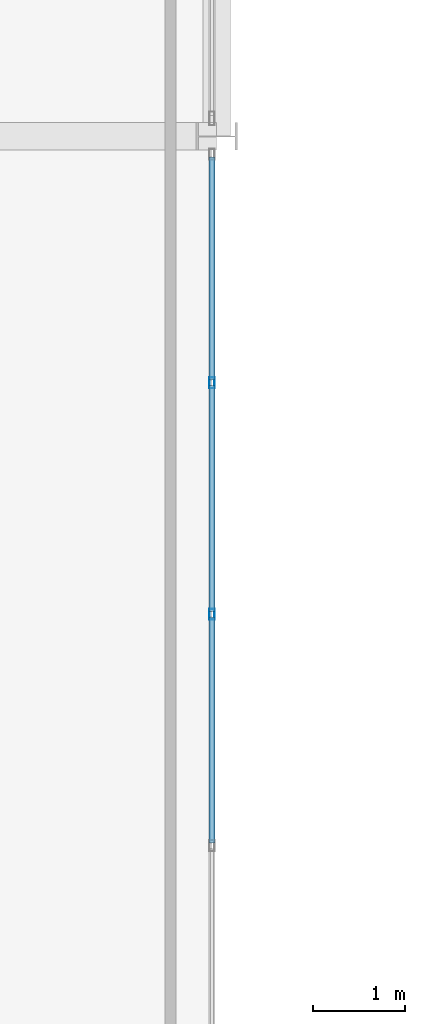
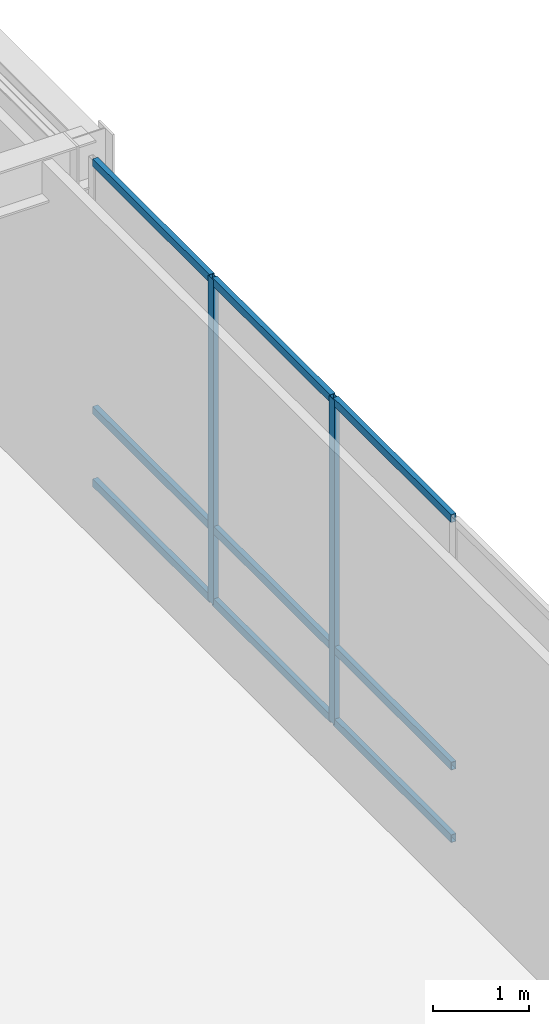
# One storey, part 62 of 115: 11 members, 1 element without a shape of its own.
"""IFC4 building model written with IfcOpenShell, lengths in metres."""

from ifc_helpers import new_model, si_unit, direction, frame, origin, origin_2d, place, context, subcontext, project, spatial, hollow_rectangle, extrude, material, layer, layer_set, material_profile, profile_set, type_object, element, aggregate, save


model = new_model("IFC4")

# Units and contexts
model_context = context("Model", 3, precision=1e-05, world=origin(), true_north=direction((0.0, 1.0)))
body_context = subcontext(model_context, "Body", "Model", "MODEL_VIEW")
ifc_project = project(units=[si_unit("LENGTHUNIT", "METRE"), si_unit("AREAUNIT", "SQUARE_METRE"), si_unit("VOLUMEUNIT", "CUBIC_METRE"), si_unit("PLANEANGLEUNIT", "RADIAN"), si_unit("MASSUNIT", "GRAM", prefix="KILO")], contexts=[model_context])

# Site, building, storey
site_placement = place(None, origin())
site = spatial("IfcSite", under=ifc_project, at=site_placement, CompositionType="ELEMENT")
building_placement = place(site_placement, origin())
building = spatial("IfcBuilding", under=site, at=building_placement, Name="Montelvaro Courts of Justice", CompositionType="ELEMENT")
storey_placement = place(building_placement, frame((0.0, 0.0, 9.89990234375)))
storey = spatial("IfcBuildingStorey", under=building, at=storey_placement, Name="L02", CompositionType="ELEMENT", Elevation=9.89990234375)

# Curtain wall, members
ifc_material = material(Name="Anodised aluminium EN AW-6063", Category="aluminium")
ifc_layer = layer(ifc_material, 0.159912109375)
ifc_layer_set = layer_set([ifc_layer], Name="Anodised aluminium EN AW-6063")
curtain_wall_type = type_object("IfcCurtainWallType", Name="CurtainWall_22_1761x418", PredefinedType="USERDEFINED", material=ifc_layer_set)
curtain_wall_placement = place(storey_placement, origin())
curtain_wall = element("IfcCurtainWall", 1, at=curtain_wall_placement, inside=storey, type_object=curtain_wall_type, Name="Curtain Wall CW-22 (L02)", ObjectType="CURTAIN WALL", PredefinedType="USERDEFINED")
ifc_material_profile_1 = material_profile(ifc_material, hollow_rectangle(XDim=0.06005859375, YDim=0.1201171875, WallThickness=0.00341796875, at=origin_2d()), Name="ALU-M 60x120")
ifc_profile_set_1 = profile_set([ifc_material_profile_1], Name="Anodised aluminium EN AW-6063")
member_type_1 = type_object("IfcMemberType", Name="CurtainWall_Mullion_60x120", PredefinedType="MULLION", material=ifc_profile_set_1)
member_1_placement = place(storey_placement, frame((80.949951171875, 90.807861328125, 0.0), z_axis=(0.0, 0.0, 1.0), x_axis=(-1.0, 0.0, 0.0)))
member_1 = element("IfcMember", 2, at=member_1_placement, type_object=member_type_1, Name="CW-22 mullion 6", PredefinedType="MULLION", context=body_context, shape_type="SweptSolid", body=[
    extrude(hollow_rectangle(XDim=0.06005859375, YDim=0.1201171875, WallThickness=0.00341796875, at=origin_2d()), origin(), (0.0, 0.0, 1.0), 4.1201171875),
])
member_2_placement = place(storey_placement, frame((80.949951171875, 93.321533203125, 0.0), z_axis=(0.0, 0.0, 1.0), x_axis=(-1.0, 0.0, 0.0)))
member_2 = element("IfcMember", 3, at=member_2_placement, type_object=member_type_1, Name="CW-22 mullion 7", PredefinedType="MULLION", context=body_context, shape_type="SweptSolid", body=[
    extrude(hollow_rectangle(XDim=0.06005859375, YDim=0.1201171875, WallThickness=0.00341796875, at=origin_2d()), origin(), (0.0, 0.0, 1.0), 4.1201171875),
])
ifc_material_profile_2 = material_profile(ifc_material, hollow_rectangle(XDim=0.06005859375, YDim=0.10009765625, WallThickness=0.00341796875, at=origin_2d()), Name="ALU-T 60x100")
ifc_profile_set_2 = profile_set([ifc_material_profile_2], Name="Anodised aluminium EN AW-6063")
member_type_2 = type_object("IfcMemberType", Name="CurtainWall_Transom_60x100", PredefinedType="USERDEFINED", material=ifc_profile_set_2)
member_3_placement = place(storey_placement, frame((80.949951171875, 88.32421875, 0.030029296875), z_axis=(0.0, 1.0, 0.0), x_axis=(-1.0, 0.0, 0.0)))
member_3 = element("IfcMember", 4, at=member_3_placement, type_object=member_type_2, Name="CW-22 transom 5.1", ObjectType="TRANSOM", PredefinedType="USERDEFINED", context=body_context, shape_type="SweptSolid", body=[
    extrude(hollow_rectangle(XDim=0.06005859375, YDim=0.10009765625, WallThickness=0.00341796875, at=origin_2d()), origin(), (0.0, 0.0, 1.0), 2.45361328125),
])
member_4_placement = place(storey_placement, frame((80.949951171875, 88.32421875, 0.9501953125), z_axis=(0.0, 1.0, 0.0), x_axis=(-1.0, 0.0, 0.0)))
member_4 = element("IfcMember", 5, at=member_4_placement, type_object=member_type_2, Name="CW-22 transom 5.2", ObjectType="TRANSOM", PredefinedType="USERDEFINED", context=body_context, shape_type="SweptSolid", body=[
    extrude(hollow_rectangle(XDim=0.06005859375, YDim=0.10009765625, WallThickness=0.00341796875, at=origin_2d()), origin(), (0.0, 0.0, 1.0), 2.45361328125),
])
member_5_placement = place(storey_placement, frame((80.949951171875, 88.32421875, 4.090087890625), z_axis=(0.0, 1.0, 0.0), x_axis=(-1.0, 0.0, 0.0)))
member_5 = element("IfcMember", 6, at=member_5_placement, type_object=member_type_2, Name="CW-22 transom 5.3", ObjectType="TRANSOM", PredefinedType="USERDEFINED", context=body_context, shape_type="SweptSolid", body=[
    extrude(hollow_rectangle(XDim=0.06005859375, YDim=0.10009765625, WallThickness=0.00341796875, at=origin_2d()), origin(), (0.0, 0.0, 1.0), 2.45361328125),
])
member_6_placement = place(storey_placement, frame((80.949951171875, 90.837890625, 0.030029296875), z_axis=(0.0, 1.0, 0.0), x_axis=(-1.0, 0.0, 0.0)))
member_6 = element("IfcMember", 7, at=member_6_placement, type_object=member_type_2, Name="CW-22 transom 6.1", ObjectType="TRANSOM", PredefinedType="USERDEFINED", context=body_context, shape_type="SweptSolid", body=[
    extrude(hollow_rectangle(XDim=0.06005859375, YDim=0.10009765625, WallThickness=0.00341796875, at=origin_2d()), origin(), (0.0, 0.0, 1.0), 2.45361328125),
])
member_7_placement = place(storey_placement, frame((80.949951171875, 90.837890625, 0.9501953125), z_axis=(0.0, 1.0, 0.0), x_axis=(-1.0, 0.0, 0.0)))
member_7 = element("IfcMember", 8, at=member_7_placement, type_object=member_type_2, Name="CW-22 transom 6.2", ObjectType="TRANSOM", PredefinedType="USERDEFINED", context=body_context, shape_type="SweptSolid", body=[
    extrude(hollow_rectangle(XDim=0.06005859375, YDim=0.10009765625, WallThickness=0.00341796875, at=origin_2d()), origin(), (0.0, 0.0, 1.0), 2.45361328125),
])
member_8_placement = place(storey_placement, frame((80.949951171875, 90.837890625, 4.090087890625), z_axis=(0.0, 1.0, 0.0), x_axis=(-1.0, 0.0, 0.0)))
member_8 = element("IfcMember", 9, at=member_8_placement, type_object=member_type_2, Name="CW-22 transom 6.3", ObjectType="TRANSOM", PredefinedType="USERDEFINED", context=body_context, shape_type="SweptSolid", body=[
    extrude(hollow_rectangle(XDim=0.06005859375, YDim=0.10009765625, WallThickness=0.00341796875, at=origin_2d()), origin(), (0.0, 0.0, 1.0), 2.45361328125),
])
member_9_placement = place(storey_placement, frame((80.949951171875, 93.351318359375, 0.030029296875), z_axis=(0.0, 1.0, 0.0), x_axis=(-1.0, 0.0, 0.0)))
member_9 = element("IfcMember", 10, at=member_9_placement, type_object=member_type_2, Name="CW-22 transom 7.1", ObjectType="TRANSOM", PredefinedType="USERDEFINED", context=body_context, shape_type="SweptSolid", body=[
    extrude(hollow_rectangle(XDim=0.06005859375, YDim=0.10009765625, WallThickness=0.00341796875, at=origin_2d()), origin(), (0.0, 0.0, 1.0), 2.423583984375),
])
member_10_placement = place(storey_placement, frame((80.949951171875, 93.351318359375, 0.9501953125), z_axis=(0.0, 1.0, 0.0), x_axis=(-1.0, 0.0, 0.0)))
member_10 = element("IfcMember", 11, at=member_10_placement, type_object=member_type_2, Name="CW-22 transom 7.2", ObjectType="TRANSOM", PredefinedType="USERDEFINED", context=body_context, shape_type="SweptSolid", body=[
    extrude(hollow_rectangle(XDim=0.06005859375, YDim=0.10009765625, WallThickness=0.00341796875, at=origin_2d()), origin(), (0.0, 0.0, 1.0), 2.423583984375),
])
member_11_placement = place(storey_placement, frame((80.949951171875, 93.351318359375, 4.090087890625), z_axis=(0.0, 1.0, 0.0), x_axis=(-1.0, 0.0, 0.0)))
member_11 = element("IfcMember", 12, at=member_11_placement, type_object=member_type_2, Name="CW-22 transom 7.3", ObjectType="TRANSOM", PredefinedType="USERDEFINED", context=body_context, shape_type="SweptSolid", body=[
    extrude(hollow_rectangle(XDim=0.06005859375, YDim=0.10009765625, WallThickness=0.00341796875, at=origin_2d()), origin(), (0.0, 0.0, 1.0), 2.423583984375),
])
aggregate(curtain_wall, [member_1, member_2, member_3, member_4, member_5, member_6, member_7, member_8, member_9, member_10, member_11])

save(model, "model.ifc")
